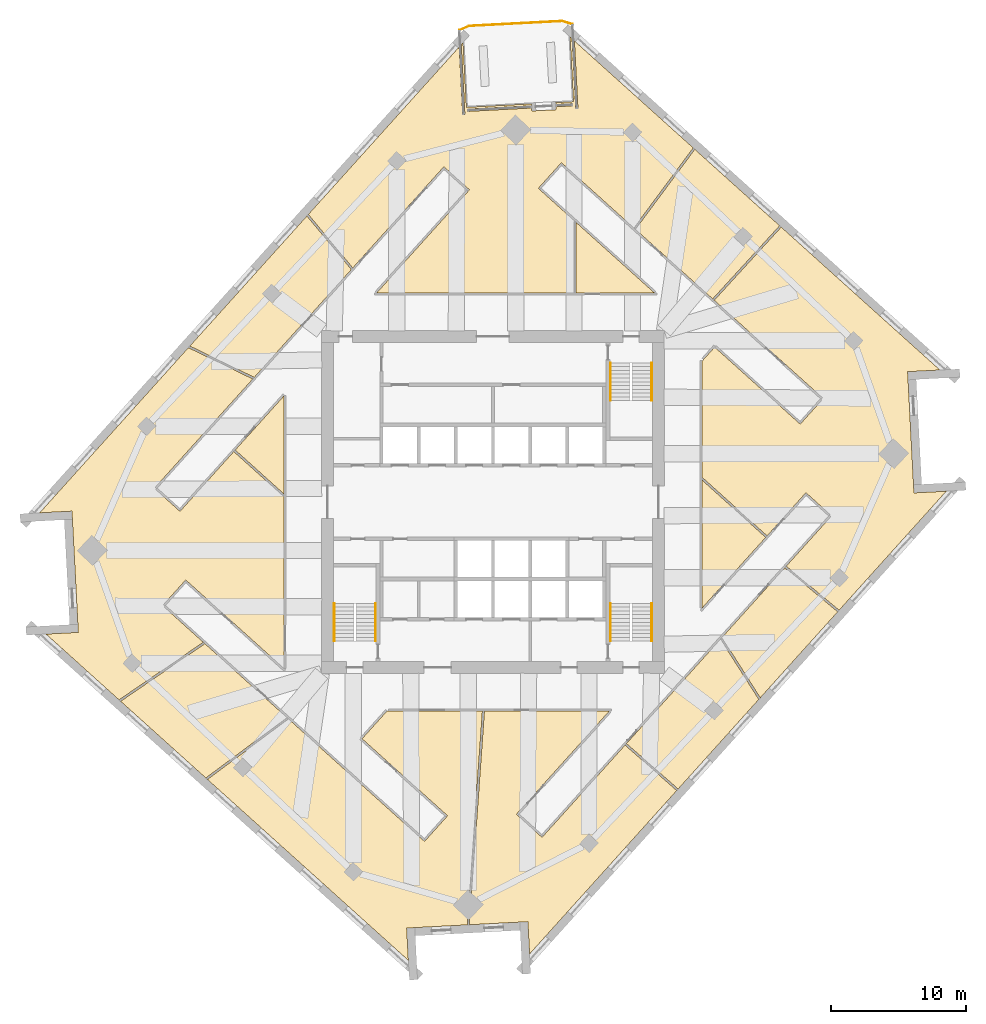
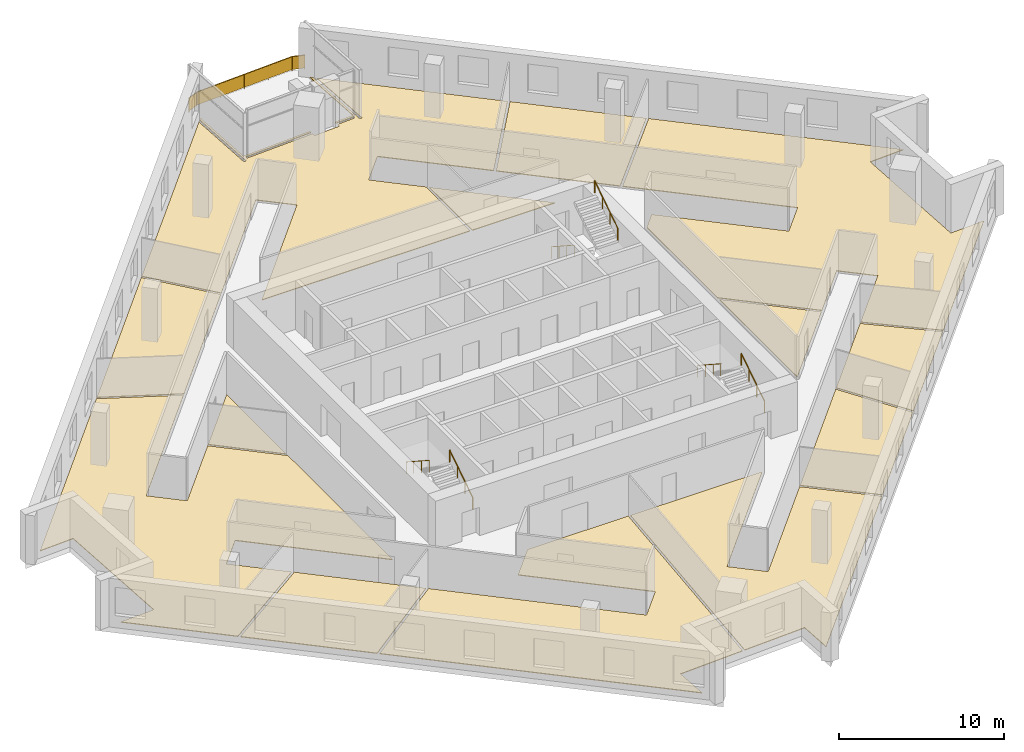
# One storey, part 11 of 12: 13 coverings, 7 railings.
"""IFC4 building model written with IfcOpenShell, lengths in metres."""

from ifc_helpers import new_model, si_unit, direction, frame, origin, origin_2d, place, context, subcontext, project, spatial, polyline, rectangle, circle, outline, extrude, material, layer, layer_set, type_object, element, save


model = new_model("IFC4")

# Units and contexts
model_context = context("Model", 3, precision=1e-05, world=origin(), true_north=direction((0.0, 1.0)))
body_context = subcontext(model_context, "Body", "Model", "MODEL_VIEW")
ifc_project = project(units=[si_unit("LENGTHUNIT", "METRE"), si_unit("AREAUNIT", "SQUARE_METRE"), si_unit("VOLUMEUNIT", "CUBIC_METRE"), si_unit("PLANEANGLEUNIT", "RADIAN"), si_unit("MASSUNIT", "GRAM", prefix="KILO")], contexts=[model_context])

# Site, building, storey
site_placement = place(None, origin())
site = spatial("IfcSite", under=ifc_project, at=site_placement, CompositionType="ELEMENT")
building_placement = place(site_placement, origin())
building = spatial("IfcBuilding", under=site, at=building_placement, Name="Dilmun Exchange Tower", CompositionType="ELEMENT")
storey_placement = place(building_placement, frame((0.0, 0.0, 217.300048828125)))
storey = spatial("IfcBuildingStorey", under=building, at=storey_placement, Name="L51", CompositionType="ELEMENT", Elevation=217.300048828125)

# Coverings
ifc_material_1 = material(Name="Carpet floor finish 50")
ifc_layer_1 = layer(ifc_material_1, 0.050048828125)
ifc_layer_set_1 = layer_set([ifc_layer_1], Name="Carpet floor finish 50")
covering_type_1 = type_object("IfcCoveringType", Name="Carpet floor finish 50", PredefinedType="FLOORING", material=ifc_layer_set_1)
covering_1_placement = place(storey_placement, origin())
element("IfcCovering", 1, at=covering_1_placement, inside=storey, type_object=covering_type_1, Name="Carpet floor finish 50 Co-working hall 1", PredefinedType="FLOORING", context=body_context, shape_type="SweptSolid", body=[
    extrude(outline(polyline([(-22.740234375, -5.768798828125), (-24.446533203125, -7.663818359375), (-21.433837890625, -10.37646484375), (-27.672607421875, -14.642578125), (-33.08251953125, -9.771484375), (-30.692626953125, -9.646240234375), (-30.6923828125, -9.646240234375), (-30.692138671875, -9.64599609375), (-30.69189453125, -9.64599609375), (-30.69189453125, -9.64599609375), (-30.691650390625, -9.64599609375), (-30.69140625, -9.645751953125), (-30.69140625, -9.645751953125), (-30.691162109375, -9.6455078125), (-30.691162109375, -9.6455078125), (-30.69091796875, -9.645263671875), (-30.69091796875, -9.64501953125), (-30.69091796875, -9.64501953125), (-30.69091796875, -9.644775390625), (-30.690673828125, -9.64453125), (-30.690673828125, -9.644287109375), (-30.690673828125, -9.64404296875), (-30.72216796875, -9.044921875), (-30.72216796875, -9.044677734375), (-30.72216796875, -9.044677734375), (-31.129150390625, -1.277587890625), (-31.129150390625, -1.277587890625), (-31.129150390625, -1.27734375), (-31.160400390625, -0.67822265625), (-31.160400390625, -0.677978515625), (-31.16064453125, -0.677734375), (-31.16064453125, -0.677490234375), (-31.16064453125, -0.677490234375), (-31.160888671875, -0.67724609375), (-31.160888671875, -0.677001953125), (-31.160888671875, -0.677001953125), (-31.1611328125, -0.6767578125), (-31.161376953125, -0.6767578125), (-31.16162109375, -0.676513671875), (-31.16162109375, -0.676513671875), (-31.161865234375, -0.676513671875), (-31.162109375, -0.676513671875), (-31.162109375, -0.67626953125), (-31.162353515625, -0.67626953125), (-31.16259765625, -0.67626953125), (-33.552490234375, -0.801513671875), (-22.541015625, 11.427734375), (-17.772216796875, 9.110107421875), (-25.058349609375, 1.01806640625), (-23.163330078125, -0.688232421875), (-19.1796875, 3.736083984375), (-15.47509765625, 0.400390625), (-15.47509765625, -12.310302734375), (-22.740234375, -5.768798828125)])), origin(), (0.0, 0.0, 1.0), 0.050048828125),
])
covering_2_placement = place(storey_placement, origin())
element("IfcCovering", 2, at=covering_2_placement, inside=storey, type_object=covering_type_1, Name="Carpet floor finish 50 Serviced office", PredefinedType="FLOORING", context=body_context, shape_type="SweptSolid", body=[
    extrude(outline(polyline([(-21.319091796875, -10.479736328125), (-15.240478515625, -15.952880859375), (-21.25, -20.42529296875), (-27.557861328125, -14.74560546875), (-21.319091796875, -10.479736328125)])), origin(), (0.0, 0.0, 1.0), 0.050048828125),
])
covering_3_placement = place(storey_placement, origin())
element("IfcCovering", 3, at=covering_3_placement, inside=storey, type_object=covering_type_1, Name="Carpet floor finish 50 Club dining room", PredefinedType="FLOORING", context=body_context, shape_type="SweptSolid", body=[
    extrude(outline(polyline([(-15.126953125, -16.055419921875), (-5.06640625, -25.11376953125), (-3.360107421875, -23.21875), (-9.68994140625, -17.519287109375), (-7.849365234375, -15.47509765625), (-0.78125, -15.47509765625), (-1.901611328125, -31.295654296875), (-5.78369140625, -31.499267578125), (-5.78369140625, -31.499267578125), (-5.783935546875, -31.499267578125), (-6.38330078125, -31.530517578125), (-6.38330078125, -31.530517578125), (-6.383544921875, -31.53076171875), (-6.3837890625, -31.53076171875), (-6.3837890625, -31.53076171875), (-6.384033203125, -31.531005859375), (-6.38427734375, -31.531005859375), (-6.384521484375, -31.531005859375), (-6.384521484375, -31.53125), (-6.384765625, -31.531494140625), (-6.384765625, -31.531494140625), (-6.385009765625, -31.53173828125), (-6.385009765625, -31.531982421875), (-6.385009765625, -31.531982421875), (-6.385009765625, -31.5322265625), (-6.385009765625, -31.532470703125), (-6.385009765625, -31.53271484375), (-6.259765625, -33.922607421875), (-21.13623046875, -20.52783203125), (-15.126953125, -16.055419921875)])), origin(), (0.0, 0.0, 1.0), 0.050048828125),
])
covering_4_placement = place(storey_placement, origin())
element("IfcCovering", 4, at=covering_4_placement, inside=storey, type_object=covering_type_1, Name="Carpet floor finish 50 Garden lounge", PredefinedType="FLOORING", context=body_context, shape_type="SweptSolid", body=[
    extrude(outline(polyline([(-1.73681640625, 23.1083984375), (-3.6318359375, 24.814697265625), (-10.3759765625, 17.32470703125), (-13.666748046875, 21.283935546875), (-2.501708984375, 33.68359375), (-2.239501953125, 28.677490234375), (-2.239501953125, 28.67724609375), (-2.239501953125, 28.677001953125), (-2.239501953125, 28.6767578125), (-2.2392578125, 28.6767578125), (-2.2392578125, 28.676513671875), (-2.239013671875, 28.67626953125), (-2.239013671875, 28.67626953125), (-2.23876953125, 28.676025390625), (-2.23876953125, 28.67578125), (-2.238525390625, 28.67578125), (-2.23828125, 28.67578125), (-2.23828125, 28.675537109375), (-2.238037109375, 28.675537109375), (-2.23779296875, 28.675537109375), (-2.237548828125, 28.675537109375), (-2.2373046875, 28.675537109375), (-2.07763671875, 28.683837890625), (-2.077392578125, 28.683837890625), (-2.0771484375, 28.683837890625), (-2.076904296875, 28.68408203125), (-2.076904296875, 28.68408203125), (-2.07666015625, 28.68408203125), (-2.076416015625, 28.684326171875), (-2.076416015625, 28.684326171875), (-2.076171875, 28.6845703125), (-2.076171875, 28.684814453125), (-2.075927734375, 28.684814453125), (-2.075927734375, 28.68505859375), (-2.07568359375, 28.685302734375), (-2.07568359375, 28.685302734375), (-2.07568359375, 28.685546875), (-2.07568359375, 28.685791015625), (-2.07568359375, 28.68603515625), (-2.3466796875, 33.856201171875), (-2.211181640625, 34.00634765625), (-1.96044921875, 29.2177734375), (2.84521484375, 29.469482421875), (2.8525390625, 29.326904296875), (-1.8779296875, 29.078857421875), (-1.878173828125, 29.078857421875), (-1.87841796875, 29.078857421875), (-1.878662109375, 29.078857421875), (-1.878662109375, 29.07861328125), (-1.87890625, 29.07861328125), (-1.879150390625, 29.07861328125), (-1.879150390625, 29.078369140625), (-1.87939453125, 29.078125), (-1.87939453125, 29.078125), (-1.879638671875, 29.077880859375), (-1.879638671875, 29.07763671875), (-1.8798828125, 29.07763671875), (-1.8798828125, 29.077392578125), (-1.8798828125, 29.0771484375), (-1.8798828125, 29.076904296875), (-1.8798828125, 29.076904296875), (-1.87158203125, 28.9169921875), (-1.87158203125, 28.916748046875), (-1.87158203125, 28.91650390625), (-1.871337890625, 28.91650390625), (-1.871337890625, 28.916259765625), (-1.87109375, 28.916015625), (-1.87109375, 28.916015625), (-1.87109375, 28.915771484375), (-1.870849609375, 28.91552734375), (-1.87060546875, 28.91552734375), (-1.87060546875, 28.915283203125), (-1.870361328125, 28.915283203125), (-1.8701171875, 28.915283203125), (-1.8701171875, 28.915283203125), (-1.869873046875, 28.9150390625), (-1.86962890625, 28.9150390625), (-1.869384765625, 28.9150390625), (2.861083984375, 29.1630859375), (2.87255859375, 28.9453125), (2.87255859375, 28.945068359375), (2.872802734375, 28.94482421875), (2.872802734375, 28.944580078125), (2.872802734375, 28.944580078125), (2.872802734375, 28.9443359375), (2.873046875, 28.944091796875), (2.873046875, 28.944091796875), (2.873291015625, 28.94384765625), (2.873291015625, 28.94384765625), (2.87353515625, 28.943603515625), (2.873779296875, 28.943603515625), (2.873779296875, 28.943603515625), (2.8740234375, 28.943603515625), (2.874267578125, 28.943359375), (2.87451171875, 28.943359375), (2.874755859375, 28.943359375), (4.672119140625, 29.03759765625), (4.67236328125, 29.03759765625), (4.672607421875, 29.03759765625), (4.6728515625, 29.03759765625), (4.673095703125, 29.037841796875), (4.673095703125, 29.037841796875), (4.67333984375, 29.0380859375), (4.67333984375, 29.0380859375), (4.673583984375, 29.038330078125), (4.673583984375, 29.038330078125), (4.673828125, 29.03857421875), (4.673828125, 29.038818359375), (4.674072265625, 29.038818359375), (4.674072265625, 29.0390625), (4.674072265625, 29.039306640625), (4.674072265625, 29.03955078125), (4.674072265625, 29.039794921875), (4.66259765625, 29.25732421875), (5.898193359375, 29.322265625), (5.898193359375, 29.322265625), (5.8984375, 29.322265625), (5.898681640625, 29.322265625), (5.89892578125, 29.322509765625), (5.89892578125, 29.322509765625), (5.899169921875, 29.322509765625), (5.8994140625, 29.32275390625), (5.8994140625, 29.322998046875), (5.899658203125, 29.322998046875), (5.899658203125, 29.3232421875), (5.89990234375, 29.323486328125), (5.89990234375, 29.323486328125), (5.89990234375, 29.32373046875), (5.89990234375, 29.323974609375), (5.89990234375, 29.32421875), (5.89990234375, 29.32421875), (5.8916015625, 29.484130859375), (5.8916015625, 29.484375), (5.8916015625, 29.484619140625), (5.8916015625, 29.484619140625), (5.891357421875, 29.48486328125), (5.891357421875, 29.485107421875), (5.89111328125, 29.485107421875), (5.89111328125, 29.4853515625), (5.890869140625, 29.485595703125), (5.890869140625, 29.485595703125), (5.890625, 29.485595703125), (5.890380859375, 29.48583984375), (5.890380859375, 29.48583984375), (5.89013671875, 29.48583984375), (5.889892578125, 29.486083984375), (5.8896484375, 29.486083984375), (5.889404296875, 29.486083984375), (4.654052734375, 29.421142578125), (4.646484375, 29.56396484375), (5.956787109375, 29.6328125), (5.7060546875, 34.421142578125), (5.856201171875, 34.285888671875), (6.127197265625, 29.115966796875), (6.127197265625, 29.11572265625), (6.127197265625, 29.115478515625), (6.127197265625, 29.115234375), (6.12744140625, 29.115234375), (6.12744140625, 29.114990234375), (6.127685546875, 29.11474609375), (6.127685546875, 29.11474609375), (6.1279296875, 29.114501953125), (6.1279296875, 29.114501953125), (6.128173828125, 29.1142578125), (6.12841796875, 29.1142578125), (6.12841796875, 29.114013671875), (6.128662109375, 29.114013671875), (6.12890625, 29.114013671875), (6.129150390625, 29.114013671875), (6.12939453125, 29.114013671875), (6.2890625, 29.122314453125), (6.289306640625, 29.122314453125), (6.28955078125, 29.122314453125), (6.289794921875, 29.12255859375), (6.289794921875, 29.12255859375), (6.2900390625, 29.122802734375), (6.290283203125, 29.122802734375), (6.290283203125, 29.122802734375), (6.29052734375, 29.123046875), (6.29052734375, 29.123291015625), (6.290771484375, 29.123291015625), (6.290771484375, 29.12353515625), (6.291015625, 29.123779296875), (6.291015625, 29.123779296875), (6.291015625, 29.1240234375), (6.291015625, 29.124267578125), (6.291015625, 29.12451171875), (6.028564453125, 34.130615234375), (14.826416015625, 26.209228515625), (10.4296875, 20.28466796875), (5.06640625, 25.11376953125), (3.360107421875, 23.21875), (6.0009765625, 20.8408203125), (6.0009765625, 15.47509765625), (-8.60986328125, 15.47509765625), (-1.73681640625, 23.1083984375)])), origin(), (0.0, 0.0, 1.0), 0.050048828125),
])
covering_5_placement = place(storey_placement, origin())
element("IfcCovering", 5, at=covering_5_placement, inside=storey, type_object=covering_type_1, Name="Carpet floor finish 50 Members library", PredefinedType="FLOORING", context=body_context, shape_type="SweptSolid", body=[
    extrude(outline(polyline([(-0.630859375, -15.47509765625), (8.60986328125, -15.47509765625), (1.73681640625, -23.1083984375), (3.6318359375, -24.814697265625), (9.7783203125, -17.98828125), (13.60546875, -21.35205078125), (2.7099609375, -33.452392578125), (2.584716796875, -31.0625), (2.584716796875, -31.0625), (2.584716796875, -31.062255859375), (2.584716796875, -31.06201171875), (2.584716796875, -31.061767578125), (2.58447265625, -31.061767578125), (2.58447265625, -31.0615234375), (2.584228515625, -31.061279296875), (2.583984375, -31.061279296875), (2.583984375, -31.06103515625), (2.583740234375, -31.06103515625), (2.58349609375, -31.060791015625), (2.58349609375, -31.060791015625), (2.583251953125, -31.060791015625), (2.5830078125, -31.060791015625), (2.5830078125, -31.060791015625), (2.582763671875, -31.060791015625), (1.9833984375, -31.092041015625), (1.9833984375, -31.092041015625), (1.9833984375, -31.092041015625), (-1.750732421875, -31.287841796875), (-0.630859375, -15.47509765625)])), origin(), (0.0, 0.0, 1.0), 0.050048828125),
])
covering_6_placement = place(storey_placement, origin())
element("IfcCovering", 6, at=covering_6_placement, inside=storey, type_object=covering_type_1, Name="Carpet floor finish 50 Meeting room 1", PredefinedType="FLOORING", context=body_context, shape_type="SweptSolid", body=[
    extrude(outline(polyline([(16.262451171875, 15.03271484375), (10.541748046875, 20.183837890625), (14.938232421875, 26.1083984375), (21.221923828125, 20.45068359375), (16.262451171875, 15.03271484375)])), origin(), (0.0, 0.0, 1.0), 0.050048828125),
])
covering_7_placement = place(storey_placement, origin())
element("IfcCovering", 7, at=covering_7_placement, inside=storey, type_object=covering_type_1, Name="Carpet floor finish 50 Meeting room 2", PredefinedType="FLOORING", context=body_context, shape_type="SweptSolid", body=[
    extrude(outline(polyline([(15.47509765625, 1.6298828125), (20.189208984375, -2.614990234375), (15.47509765625, -7.8505859375), (15.47509765625, 1.6298828125)])), origin(), (0.0, 0.0, 1.0), 0.050048828125),
])
covering_8_placement = place(storey_placement, origin())
element("IfcCovering", 8, at=covering_8_placement, inside=storey, type_object=covering_type_1, Name="Carpet floor finish 50 Meeting room 3", PredefinedType="FLOORING", context=body_context, shape_type="SweptSolid", body=[
    extrude(outline(polyline([(16.947021484375, -10.026611328125), (21.603515625, -4.855224609375), (25.517822265625, -8.12158203125), (19.783203125, -14.49072265625), (16.947021484375, -10.026611328125)])), origin(), (0.0, 0.0, 1.0), 0.050048828125),
])
covering_9_placement = place(storey_placement, origin())
element("IfcCovering", 9, at=covering_9_placement, inside=storey, type_object=covering_type_1, Name="Carpet floor finish 50 Co-working hall 2", PredefinedType="FLOORING", context=body_context, shape_type="SweptSolid", body=[
    extrude(outline(polyline([(21.703857421875, -4.74365234375), (25.058349609375, -1.01806640625), (23.163330078125, 0.688232421875), (20.28955078125, -2.50341796875), (15.47509765625, 1.831787109375), (15.47509765625, 10.42919921875), (16.410400390625, 11.468017578125), (22.740234375, 5.768798828125), (24.446533203125, 7.663818359375), (16.3740234375, 14.932373046875), (21.33349609375, 20.350341796875), (33.08251953125, 9.771484375), (30.692626953125, 9.646240234375), (30.6923828125, 9.646240234375), (30.692138671875, 9.64599609375), (30.69189453125, 9.64599609375), (30.69189453125, 9.64599609375), (30.691650390625, 9.64599609375), (30.69140625, 9.645751953125), (30.69140625, 9.645751953125), (30.691162109375, 9.6455078125), (30.691162109375, 9.6455078125), (30.69091796875, 9.645263671875), (30.69091796875, 9.64501953125), (30.69091796875, 9.64501953125), (30.69091796875, 9.644775390625), (30.690673828125, 9.64453125), (30.690673828125, 9.644287109375), (30.690673828125, 9.64404296875), (30.72216796875, 9.044921875), (30.72216796875, 9.044677734375), (30.72216796875, 9.044677734375), (31.129150390625, 1.277587890625), (31.129150390625, 1.277587890625), (31.129150390625, 1.27734375), (31.160400390625, 0.67822265625), (31.160400390625, 0.677978515625), (31.16064453125, 0.677734375), (31.16064453125, 0.677490234375), (31.16064453125, 0.677490234375), (31.160888671875, 0.67724609375), (31.160888671875, 0.677001953125), (31.160888671875, 0.677001953125), (31.1611328125, 0.6767578125), (31.161376953125, 0.6767578125), (31.16162109375, 0.676513671875), (31.16162109375, 0.676513671875), (31.161865234375, 0.676513671875), (31.162109375, 0.676513671875), (31.162109375, 0.67626953125), (31.162353515625, 0.67626953125), (31.16259765625, 0.67626953125), (33.552490234375, 0.801513671875), (25.618408203125, -8.01025390625), (21.703857421875, -4.74365234375)])), origin(), (0.0, 0.0, 1.0), 0.050048828125),
])

# Railings
ifc_material_2 = material(Name="Stainless steel", Category="steel")
railing_type_1 = type_object("IfcRailingType", Name="Stair handrail 900", PredefinedType="HANDRAIL", material=ifc_material_2)
railing_1_placement = place(storey_placement, frame((8.699951171875, 10.300048828125, 0.181884765625)))
element("IfcRailing", 10, at=railing_1_placement, inside=storey, type_object=railing_type_1, Name="L51 ST1 stair handrail 1", PredefinedType="HANDRAIL", context=body_context, shape_type="SweptSolid", body=[
    extrude(circle(Radius=0.02392578125, at=origin_2d()), frame((0.0, 0.0, 0.8759765625), z_axis=(0.0, -0.838705829183, 0.544584733623), x_axis=(1.0, 0.0, 0.0)), (0.0, 0.0, 1.0), 3.338623046875),
    extrude(circle(Radius=0.02099609375, at=origin_2d()), origin(), (0.0, 0.0, 1.0), 0.851806640625),
    extrude(circle(Radius=0.02099609375, at=origin_2d()), frame((0.0, -0.933349609375, 0.60595703125)), (0.0, 0.0, 1.0), 0.851806640625),
    extrude(circle(Radius=0.02099609375, at=origin_2d()), frame((0.0, -1.86669921875, 1.212158203125)), (0.0, 0.0, 1.0), 0.851806640625),
    extrude(circle(Radius=0.02099609375, at=origin_2d()), frame((0.0, -2.800048828125, 1.818115234375)), (0.0, 0.0, 1.0), 0.851806640625),
])
for number, where, name in (
    (11, (11.75, 7.5, 2.181884765625), "L51 ST1 stair handrail 2"),
    (12, (-8.699951171875, -10.300048828125, 0.181884765625), "L51 ST2 stair handrail 1"),
):
    element("IfcRailing", number, at=place(storey_placement, frame(where)), inside=storey, type_object=railing_type_1, Name=name, PredefinedType="HANDRAIL", context=body_context, shape_type="SweptSolid", body=[
        extrude(circle(Radius=0.02392578125, at=origin_2d()), frame((0.0, 0.0, 0.8759765625), z_axis=(0.0, 0.838705829183, 0.544584733623), x_axis=(-1.0, 0.0, 0.0)), (0.0, 0.0, 1.0), 3.338623046875),
        extrude(circle(Radius=0.02099609375, at=origin_2d()), origin(), (0.0, 0.0, 1.0), 0.851806640625),
        extrude(circle(Radius=0.02099609375, at=origin_2d()), frame((0.0, 0.933349609375, 0.60595703125)), (0.0, 0.0, 1.0), 0.851806640625),
        extrude(circle(Radius=0.02099609375, at=origin_2d()), frame((0.0, 1.86669921875, 1.212158203125)), (0.0, 0.0, 1.0), 0.851806640625),
        extrude(circle(Radius=0.02099609375, at=origin_2d()), frame((0.0, 2.800048828125, 1.818115234375)), (0.0, 0.0, 1.0), 0.851806640625),
    ])
railing_2_placement = place(storey_placement, frame((-11.75, -7.5, 2.181884765625)))
element("IfcRailing", 13, at=railing_2_placement, inside=storey, type_object=railing_type_1, Name="L51 ST2 stair handrail 2", PredefinedType="HANDRAIL", context=body_context, shape_type="SweptSolid", body=[
    extrude(circle(Radius=0.02392578125, at=origin_2d()), frame((0.0, 0.0, 0.8759765625), z_axis=(0.0, -0.838705829183, 0.544584733623), x_axis=(1.0, 0.0, 0.0)), (0.0, 0.0, 1.0), 3.338623046875),
    extrude(circle(Radius=0.02099609375, at=origin_2d()), origin(), (0.0, 0.0, 1.0), 0.851806640625),
    extrude(circle(Radius=0.02099609375, at=origin_2d()), frame((0.0, -0.933349609375, 0.60595703125)), (0.0, 0.0, 1.0), 0.851806640625),
    extrude(circle(Radius=0.02099609375, at=origin_2d()), frame((0.0, -1.86669921875, 1.212158203125)), (0.0, 0.0, 1.0), 0.851806640625),
    extrude(circle(Radius=0.02099609375, at=origin_2d()), frame((0.0, -2.800048828125, 1.818115234375)), (0.0, 0.0, 1.0), 0.851806640625),
])
railing_3_placement = place(storey_placement, frame((11.75, -10.300048828125, 0.181884765625)))
element("IfcRailing", 14, at=railing_3_placement, inside=storey, type_object=railing_type_1, Name="L51 ST3 stair handrail 1", PredefinedType="HANDRAIL", context=body_context, shape_type="SweptSolid", body=[
    extrude(circle(Radius=0.02392578125, at=origin_2d()), frame((0.0, 0.0, 0.8759765625), z_axis=(0.0, 0.838705829183, 0.544584733623), x_axis=(-1.0, 0.0, 0.0)), (0.0, 0.0, 1.0), 3.338623046875),
    extrude(circle(Radius=0.02099609375, at=origin_2d()), origin(), (0.0, 0.0, 1.0), 0.851806640625),
    extrude(circle(Radius=0.02099609375, at=origin_2d()), frame((0.0, 0.933349609375, 0.60595703125)), (0.0, 0.0, 1.0), 0.851806640625),
    extrude(circle(Radius=0.02099609375, at=origin_2d()), frame((0.0, 1.86669921875, 1.212158203125)), (0.0, 0.0, 1.0), 0.851806640625),
    extrude(circle(Radius=0.02099609375, at=origin_2d()), frame((0.0, 2.800048828125, 1.818115234375)), (0.0, 0.0, 1.0), 0.851806640625),
])
railing_4_placement = place(storey_placement, frame((8.699951171875, -7.5, 2.181884765625)))
element("IfcRailing", 15, at=railing_4_placement, inside=storey, type_object=railing_type_1, Name="L51 ST3 stair handrail 2", PredefinedType="HANDRAIL", context=body_context, shape_type="SweptSolid", body=[
    extrude(circle(Radius=0.02392578125, at=origin_2d()), frame((0.0, 0.0, 0.8759765625), z_axis=(0.0, -0.838705829183, 0.544584733623), x_axis=(1.0, 0.0, 0.0)), (0.0, 0.0, 1.0), 3.338623046875),
    extrude(circle(Radius=0.02099609375, at=origin_2d()), origin(), (0.0, 0.0, 1.0), 0.851806640625),
    extrude(circle(Radius=0.02099609375, at=origin_2d()), frame((0.0, -0.933349609375, 0.60595703125)), (0.0, 0.0, 1.0), 0.851806640625),
    extrude(circle(Radius=0.02099609375, at=origin_2d()), frame((0.0, -1.86669921875, 1.212158203125)), (0.0, 0.0, 1.0), 0.851806640625),
    extrude(circle(Radius=0.02099609375, at=origin_2d()), frame((0.0, -2.800048828125, 1.818115234375)), (0.0, 0.0, 1.0), 0.851806640625),
])

# Covering
ifc_material_3 = material(Name="Stone floor finish 50", Category="masonry")
ifc_layer_2 = layer(ifc_material_3, 0.050048828125)
ifc_layer_set_2 = layer_set([ifc_layer_2], Name="Stone floor finish 50")
covering_type_2 = type_object("IfcCoveringType", Name="Stone floor finish 50", PredefinedType="FLOORING", material=ifc_layer_set_2)
covering_10_placement = place(storey_placement, origin())
element("IfcCovering", 16, at=covering_10_placement, inside=storey, type_object=covering_type_2, Name="Stone floor finish 50 Reception", PredefinedType="FLOORING", context=body_context, shape_type="SweptSolid", body=[
    extrude(outline(polyline([(-10.477294921875, 17.2119140625), (-17.667724609375, 9.226318359375), (-22.436767578125, 11.543701171875), (-13.76806640625, 21.17138671875), (-10.477294921875, 17.2119140625)])), origin(), (0.0, 0.0, 1.0), 0.050048828125),
])

# Railing
railing_type_2 = type_object("IfcRailingType", Name="Terrace guard 1100 stainless steel", PredefinedType="GUARDRAIL", material=ifc_material_2)
railing_5_placement = place(storey_placement, frame((-2.484619140625, 34.919677734375, 0.0)))
element("IfcRailing", 17, at=railing_5_placement, inside=storey, type_object=railing_type_2, Name="Terrace guard 1", PredefinedType="GUARDRAIL", context=body_context, shape_type="SweptSolid", body=[
    extrude(circle(Radius=0.02392578125, at=origin_2d()), frame((0.0, 0.0, 1.076171875), z_axis=(0.918476159103, 0.395476352213, 0.0), x_axis=(-0.395476352213, 0.918476159103, 0.0)), (0.0, 0.0, 1.0), 0.79443359375),
    extrude(rectangle(XDim=0.011962890625, YDim=0.951904296875, at=origin_2d()), frame((0.0, 0.0, 0.576171875), z_axis=(0.918476159103, 0.395476352213, 0.0), x_axis=(-0.395476352213, 0.918476159103, 0.0)), (0.0, 0.0, 1.0), 0.79443359375),
    extrude(circle(Radius=0.02392578125, at=origin_2d()), frame((0.729736328125, 0.314208984375, 1.076171875), z_axis=(0.998628773631, 0.052350477326, 0.0), x_axis=(-0.052350477326, 0.998628773631, 0.0)), (0.0, 0.0, 1.0), 6.88818359375),
    extrude(rectangle(XDim=0.011962890625, YDim=0.951904296875, at=origin_2d()), frame((0.729736328125, 0.314208984375, 0.576171875), z_axis=(0.998628773631, 0.052350477326, 0.0), x_axis=(-0.052350477326, 0.998628773631, 0.0)), (0.0, 0.0, 1.0), 6.88818359375),
    extrude(circle(Radius=0.02392578125, at=origin_2d()), frame((7.6083984375, 0.6748046875, 1.076171875), z_axis=(0.954709406475, -0.297539827903, 0.0), x_axis=(0.297539827903, 0.954709406475, 0.0)), (0.0, 0.0, 1.0), 0.794189453125),
    extrude(rectangle(XDim=0.011962890625, YDim=0.951904296875, at=origin_2d()), frame((7.6083984375, 0.6748046875, 0.576171875), z_axis=(0.954709406475, -0.297539827903, 0.0), x_axis=(0.297539827903, 0.954709406475, 0.0)), (0.0, 0.0, 1.0), 0.794189453125),
    extrude(circle(Radius=0.02099609375, at=origin_2d()), origin(), (0.0, 0.0, 1.0), 1.052001953125),
    extrude(circle(Radius=0.02099609375, at=origin_2d()), frame((0.729736328125, 0.314208984375, 0.0)), (0.0, 0.0, 1.0), 1.052001953125),
    extrude(circle(Radius=0.02099609375, at=origin_2d()), frame((2.449462890625, 0.404296875, 0.0)), (0.0, 0.0, 1.0), 1.052001953125),
    extrude(circle(Radius=0.02099609375, at=origin_2d()), frame((4.1689453125, 0.49462890625, 0.0)), (0.0, 0.0, 1.0), 1.052001953125),
    extrude(circle(Radius=0.02099609375, at=origin_2d()), frame((5.888671875, 0.584716796875, 0.0)), (0.0, 0.0, 1.0), 1.052001953125),
    extrude(circle(Radius=0.02099609375, at=origin_2d()), frame((7.6083984375, 0.6748046875, 0.0)), (0.0, 0.0, 1.0), 1.052001953125),
    extrude(circle(Radius=0.02099609375, at=origin_2d()), frame((8.36669921875, 0.4384765625, 0.0)), (0.0, 0.0, 1.0), 1.052001953125),
])

# Coverings
ifc_material_4 = material(Name="Tile floor finish 50")
ifc_layer_3 = layer(ifc_material_4, 0.050048828125)
ifc_layer_set_3 = layer_set([ifc_layer_3], Name="Tile floor finish 50")
covering_type_3 = type_object("IfcCoveringType", Name="Tile floor finish 50", PredefinedType="FLOORING", material=ifc_layer_set_3)
covering_11_placement = place(storey_placement, origin())
element("IfcCovering", 18, at=covering_11_placement, inside=storey, type_object=covering_type_3, Name="Tile floor finish 50 Pantry 1", PredefinedType="FLOORING", context=body_context, shape_type="SweptSolid", body=[
    extrude(outline(polyline([(-15.47509765625, 7.849365234375), (-15.47509765625, 0.602294921875), (-19.0791015625, 3.84765625), (-15.4755859375, 7.849853515625), (-15.47509765625, 7.849365234375)])), origin(), (0.0, 0.0, 1.0), 0.050048828125),
])
covering_12_placement = place(storey_placement, origin())
element("IfcCovering", 19, at=covering_12_placement, inside=storey, type_object=covering_type_3, Name="Tile floor finish 50 Pantry 2", PredefinedType="FLOORING", context=body_context, shape_type="SweptSolid", body=[
    extrude(outline(polyline([(6.15087890625, 15.47509765625), (6.15087890625, 20.705810546875), (11.96044921875, 15.47509765625), (6.15087890625, 15.47509765625)])), origin(), (0.0, 0.0, 1.0), 0.050048828125),
])
covering_13_placement = place(storey_placement, origin())
element("IfcCovering", 20, at=covering_13_placement, inside=storey, type_object=covering_type_3, Name="Tile floor finish 50 Pantry 3", PredefinedType="FLOORING", context=body_context, shape_type="SweptSolid", body=[
    extrude(outline(polyline([(9.878662109375, -17.876708984375), (16.8427734375, -10.142578125), (19.67919921875, -14.6064453125), (13.705810546875, -21.240478515625), (9.878662109375, -17.876708984375)])), origin(), (0.0, 0.0, 1.0), 0.050048828125),
])

save(model, "model.ifc")
